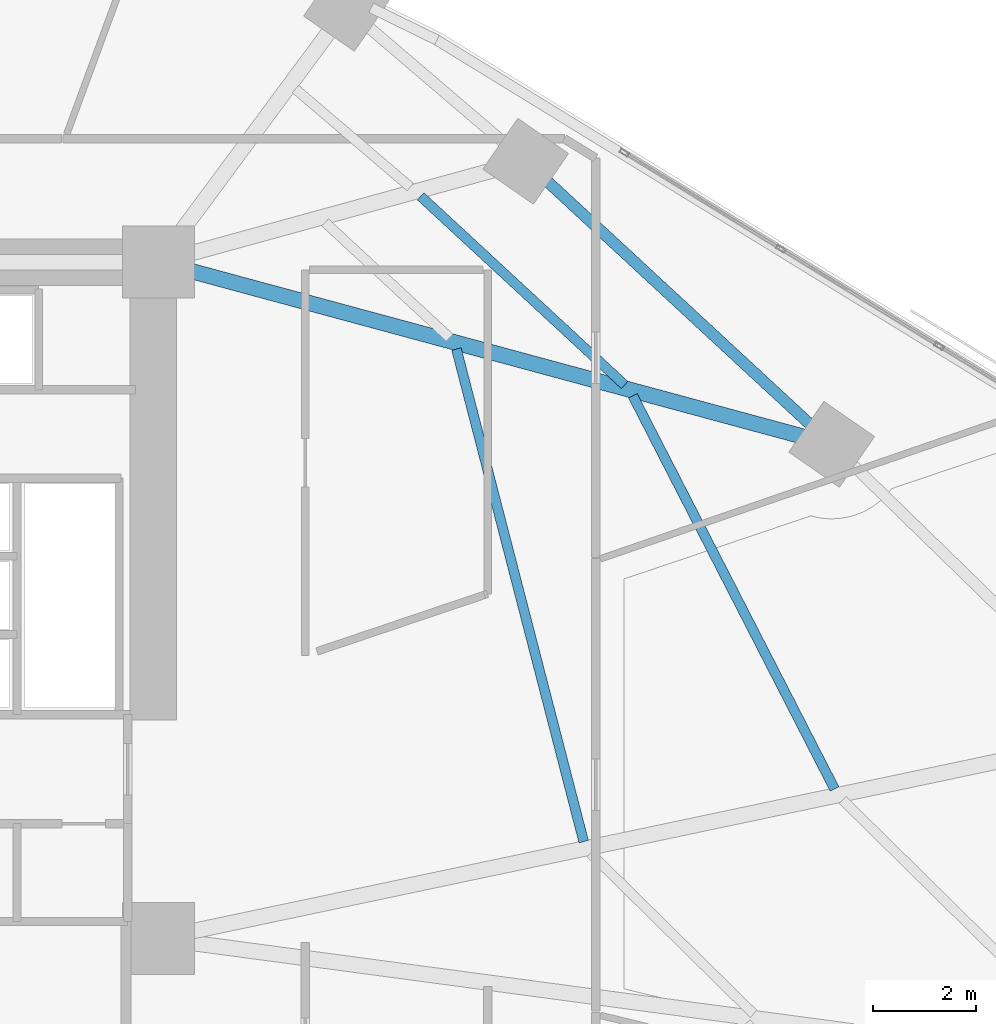
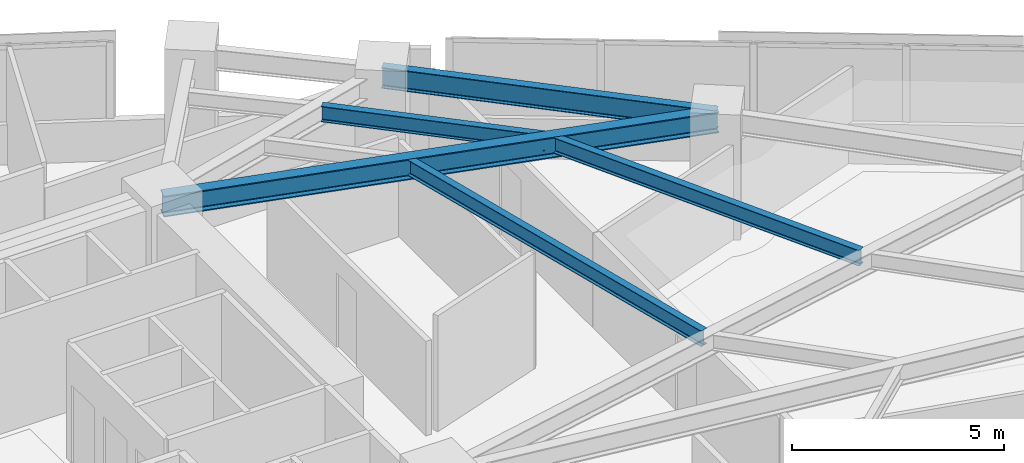
# One storey, part 5 of 18: 5 beams.
"""IFC4 building model written with IfcOpenShell, lengths in metres."""

from ifc_helpers import new_model, si_unit, direction, frame, origin, origin_2d, place, context, subcontext, project, spatial, i_section, extrude, material, material_profile, profile_set, type_object, element, save


model = new_model("IFC4")

# Units and contexts
model_context = context("Model", 3, precision=1e-05, world=origin(), true_north=direction((0.0, 1.0)))
body_context = subcontext(model_context, "Body", "Model", "MODEL_VIEW")
ifc_project = project(units=[si_unit("LENGTHUNIT", "METRE"), si_unit("AREAUNIT", "SQUARE_METRE"), si_unit("VOLUMEUNIT", "CUBIC_METRE"), si_unit("PLANEANGLEUNIT", "RADIAN"), si_unit("MASSUNIT", "GRAM", prefix="KILO")], contexts=[model_context])

# Site, building, storey
site_placement = place(None, origin())
site = spatial("IfcSite", under=ifc_project, at=site_placement, CompositionType="ELEMENT")
building_placement = place(site_placement, origin())
building = spatial("IfcBuilding", under=site, at=building_placement, Name="Narakoshi Arena Tower", CompositionType="ELEMENT")
storey_placement = place(building_placement, frame((0.0, 0.0, 99.300048828125)))
storey = spatial("IfcBuildingStorey", under=building, at=storey_placement, Name="L26", CompositionType="ELEMENT", Elevation=99.300048828125)

# Beams
ifc_material = material(Name="Structural steel S355J2", Category="steel")
ifc_material_profile_1 = material_profile(ifc_material, i_section(OverallWidth=0.219970703125, OverallDepth=0.60009765625, WebThickness=0.011962890625, FlangeThickness=0.01904296875, FilletRadius=0.02392578125, at=origin_2d()), Name="IPE600")
ifc_profile_set_1 = profile_set([ifc_material_profile_1], Name="Structural steel S355J2")
beam_type_1 = type_object("IfcBeamType", Name="BM-EDGE-600", PredefinedType="BEAM", material=ifc_profile_set_1)
beam_1_placement = place(storey_placement, frame((98.641357421875, 52.95849609375, 3.0400390625), z_axis=(-0.734140347065, 0.678997754643, 0.0), x_axis=(-0.678997754643, -0.734140347065, 0.0)))
element("IfcBeam", 1, at=beam_1_placement, inside=storey, type_object=beam_type_1, Name="L26 Perimeter Edge Girder 06", PredefinedType="BEAM", context=body_context, shape_type="SweptSolid", body=[
    extrude(i_section(OverallWidth=0.219970703125, OverallDepth=0.60009765625, WebThickness=0.011962890625, FlangeThickness=0.01904296875, FilletRadius=0.02392578125, at=origin_2d()), origin(), (0.0, 0.0, 1.0), 8.106689453125),
])
ifc_material_profile_2 = material_profile(ifc_material, i_section(OverallWidth=0.300048828125, OverallDepth=0.60009765625, WebThickness=0.015380859375, FlangeThickness=0.030029296875, FilletRadius=0.027099609375, at=origin_2d()), Name="HE600B")
ifc_profile_set_2 = profile_set([ifc_material_profile_2], Name="Structural steel S355J2")
beam_type_2 = type_object("IfcBeamType", Name="BM-PRI-600", PredefinedType="BEAM", material=ifc_profile_set_2)
beam_2_placement = place(storey_placement, frame((85.550048828125, 56.5, 3.0400390625), z_axis=(0.965301848216, -0.261136634408, 0.0), x_axis=(0.261136634408, 0.965301848216, 0.0)))
element("IfcBeam", 2, at=beam_2_placement, inside=storey, type_object=beam_type_2, Name="L26 Radial Primary Floor Girder 06", PredefinedType="BEAM", context=body_context, shape_type="SweptSolid", body=[
    extrude(i_section(OverallWidth=0.300048828125, OverallDepth=0.60009765625, WebThickness=0.015380859375, FlangeThickness=0.030029296875, FilletRadius=0.027099609375, at=origin_2d()), origin(), (0.0, 0.0, 1.0), 13.561767578125),
])
ifc_material_profile_3 = material_profile(ifc_material, i_section(OverallWidth=0.18994140625, OverallDepth=0.449951171875, WebThickness=0.009521484375, FlangeThickness=0.0146484375, FilletRadius=0.02099609375, at=origin_2d()), Name="IPE450")
ifc_profile_set_3 = profile_set([ifc_material_profile_3], Name="Structural steel S355J2")
beam_type_3 = type_object("IfcBeamType", Name="BM-SEC-450", PredefinedType="JOIST", material=ifc_profile_set_3)
beam_3_placement = place(storey_placement, frame((93.819091796875, 45.232177734375, 3.114990234375), z_axis=(-0.250175045667, 0.968200623076, 0.0), x_axis=(-0.968200623076, -0.250175045667, 0.0)))
element("IfcBeam", 3, at=beam_3_placement, inside=storey, type_object=beam_type_3, Name="L26 Composite Secondary Floor Joist 04", PredefinedType="JOIST", context=body_context, shape_type="SweptSolid", body=[
    extrude(i_section(OverallWidth=0.18994140625, OverallDepth=0.449951171875, WebThickness=0.009521484375, FlangeThickness=0.0146484375, FilletRadius=0.02099609375, at=origin_2d()), origin(), (0.0, 0.0, 1.0), 9.8935546875),
])
beam_4_placement = place(storey_placement, frame((98.69775390625, 46.256591796875, 3.114990234375), z_axis=(-0.45649835957, 0.88972425375, 0.0), x_axis=(-0.88972425375, -0.45649835957, 0.0)))
element("IfcBeam", 4, at=beam_4_placement, inside=storey, type_object=beam_type_3, Name="L26 Composite Secondary Floor Joist 05", PredefinedType="JOIST", context=body_context, shape_type="SweptSolid", body=[
    extrude(i_section(OverallWidth=0.18994140625, OverallDepth=0.449951171875, WebThickness=0.009521484375, FlangeThickness=0.0146484375, FilletRadius=0.02099609375, at=origin_2d()), origin(), (0.0, 0.0, 1.0), 8.591796875),
])
beam_5_placement = place(storey_placement, frame((94.614990234375, 54.11279296875, 3.114990234375), z_axis=(-0.734167550232, 0.678968341078, 0.0), x_axis=(-0.678968341078, -0.734167550232, 0.0)))
element("IfcBeam", 5, at=beam_5_placement, inside=storey, type_object=beam_type_3, Name="L26 Composite Secondary Floor Joist 07", PredefinedType="JOIST", context=body_context, shape_type="SweptSolid", body=[
    extrude(i_section(OverallWidth=0.18994140625, OverallDepth=0.449951171875, WebThickness=0.009521484375, FlangeThickness=0.0146484375, FilletRadius=0.02099609375, at=origin_2d()), origin(), (0.0, 0.0, 1.0), 5.40478515625),
])

save(model, "model.ifc")
